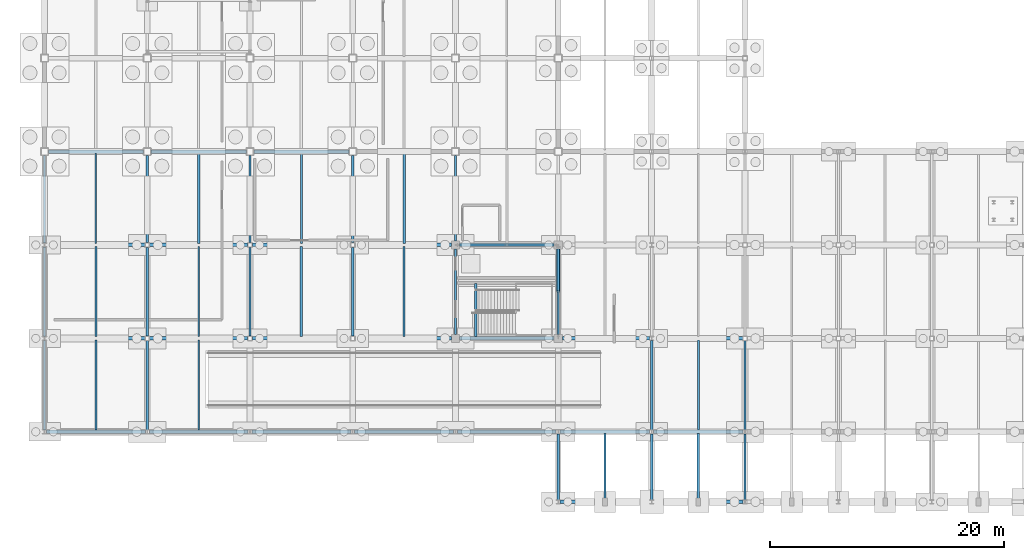
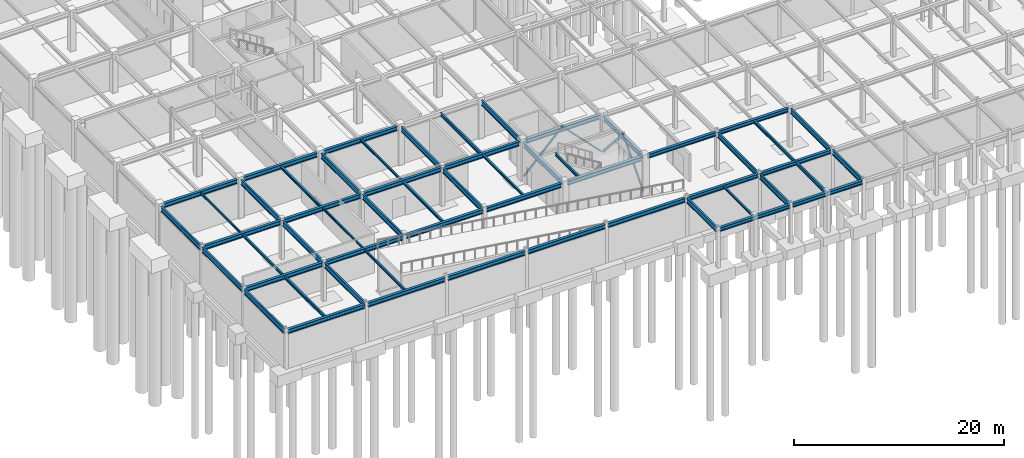
# One storey, part 32 of 72: 56 beams, 4 members.
"""IFC4 building model written with IfcOpenShell, lengths in metres."""

from ifc_helpers import new_model, si_unit, direction, frame, origin, origin_2d, place, context, subcontext, project, spatial, hollow_rectangle, hollow_circle, i_section, extrude, material, material_profile, profile_set, type_object, element, save


model = new_model("IFC4")

# Units and contexts
model_context = context("Model", 3, precision=1e-05, world=origin(), true_north=direction((0.0, 1.0)))
body_context = subcontext(model_context, "Body", "Model", "MODEL_VIEW")
ifc_project = project(units=[si_unit("LENGTHUNIT", "METRE"), si_unit("AREAUNIT", "SQUARE_METRE"), si_unit("VOLUMEUNIT", "CUBIC_METRE"), si_unit("PLANEANGLEUNIT", "RADIAN"), si_unit("MASSUNIT", "GRAM", prefix="KILO")], contexts=[model_context])

# Site, building, storey
site_placement = place(None, origin())
site = spatial("IfcSite", under=ifc_project, at=site_placement, CompositionType="ELEMENT")
building_placement = place(site_placement, origin())
building = spatial("IfcBuilding", under=site, at=building_placement, Name="Zhaolan Boulevard Law Courts", CompositionType="ELEMENT")
storey_placement = place(building_placement, frame((0.0, 0.0, -4.800048828125)))
storey = spatial("IfcBuildingStorey", under=building, at=storey_placement, Name="B1", CompositionType="ELEMENT", Elevation=-4.800048828125)

# Members
ifc_material_1 = material(Name="Structural steel Q355B", Category="steel")
ifc_material_profile_1 = material_profile(ifc_material_1, hollow_circle(Radius=0.136474609375, WallThickness=0.010009765625, at=origin_2d()), Name="CHS273x10")
ifc_profile_set_1 = profile_set([ifc_material_profile_1], Name="Structural steel Q355B")
member_type_1 = type_object("IfcMemberType", Name="BRACE CHS273", PredefinedType="BRACE", material=ifc_profile_set_1)
member_1_placement = place(storey_placement, frame((44.0, 21.820068359375, 0.199951171875), z_axis=(0.0, -0.662424974315, 0.749128262318), x_axis=(1.0, 0.0, 0.0)))
element("IfcMember", 1, at=member_1_placement, inside=storey, type_object=member_type_1, Name="Core Brace BR-P1-B1-E2", PredefinedType="BRACE", context=body_context, shape_type="SweptSolid", body=[
    extrude(hollow_circle(Radius=0.136474609375, WallThickness=0.010009765625, at=origin_2d()), origin(), (0.0, 0.0, 1.0), 5.766845703125),
])
ifc_material_2 = material(Name="Structural steel Q355B", Category="steel")
ifc_material_profile_2 = material_profile(ifc_material_2, hollow_rectangle(XDim=0.159912109375, YDim=0.159912109375, WallThickness=0.008056640625, InnerFilletRadius=0.008056640625, OuterFilletRadius=0.01611328125, at=origin_2d()), Name="HSS160x160x8")
ifc_profile_set_2 = profile_set([ifc_material_profile_2], Name="Structural steel Q355B")
member_type_2 = type_object("IfcMemberType", Name="BRACE HSS160", PredefinedType="BRACE", material=ifc_profile_set_2)
member_2_placement = place(storey_placement, frame((43.820068359375, 22.0, 0.199951171875), z_axis=(-0.698770796904, 0.0, 0.715345632121), x_axis=(0.0, -1.0, 0.0)))
element("IfcMember", 2, at=member_2_placement, inside=storey, type_object=member_type_2, Name="Core Brace BR-P1-B1-N2", PredefinedType="BRACE", context=body_context, shape_type="SweptSolid", body=[
    extrude(hollow_rectangle(XDim=0.159912109375, YDim=0.159912109375, WallThickness=0.008056640625, InnerFilletRadius=0.008056640625, OuterFilletRadius=0.01611328125, at=origin_2d()), origin(), (0.0, 0.0, 1.0), 6.0390625),
])
member_3_placement = place(storey_placement, frame((44.0, 14.179931640625, 0.199951171875), z_axis=(0.0, 0.662424974315, 0.749128262318), x_axis=(-1.0, 0.0, 0.0)))
element("IfcMember", 3, at=member_3_placement, inside=storey, type_object=member_type_2, Name="Core Brace BR-P1-B1-E1", PredefinedType="BRACE", context=body_context, shape_type="SweptSolid", body=[
    extrude(hollow_rectangle(XDim=0.159912109375, YDim=0.159912109375, WallThickness=0.008056640625, InnerFilletRadius=0.008056640625, OuterFilletRadius=0.01611328125, at=origin_2d()), origin(), (0.0, 0.0, 1.0), 5.766845703125),
])
ifc_material_3 = material(Name="Structural steel Q355B", Category="steel")
ifc_material_profile_3 = material_profile(ifc_material_3, hollow_rectangle(XDim=0.179931640625, YDim=0.179931640625, WallThickness=0.008056640625, InnerFilletRadius=0.008056640625, OuterFilletRadius=0.01611328125, at=origin_2d()), Name="HSS180x180x8")
ifc_profile_set_3 = profile_set([ifc_material_profile_3], Name="Structural steel Q355B")
member_type_3 = type_object("IfcMemberType", Name="BRACE HSS180", PredefinedType="BRACE", material=ifc_profile_set_3)
member_4_placement = place(storey_placement, frame((35.3798828125, 22.0, 0.199951171875), z_axis=(0.698791483013, 0.0, 0.715325424732), x_axis=(0.0, 1.0, 0.0)))
element("IfcMember", 4, at=member_4_placement, inside=storey, type_object=member_type_3, Name="Core Brace BR-P1-B1-N1", PredefinedType="BRACE", context=body_context, shape_type="SweptSolid", body=[
    extrude(hollow_rectangle(XDim=0.179931640625, YDim=0.179931640625, WallThickness=0.008056640625, InnerFilletRadius=0.008056640625, OuterFilletRadius=0.01611328125, at=origin_2d()), origin(), (0.0, 0.0, 1.0), 6.039306640625),
])

# Beams
ifc_material_4 = material(Name="Structural steel Q355B", Category="steel")
ifc_material_profile_4 = material_profile(ifc_material_4, i_section(OverallWidth=0.300048828125, OverallDepth=0.43994140625, WebThickness=0.010986328125, FlangeThickness=0.01806640625, FilletRadius=0.02001953125, at=origin_2d()), Name="HM440x300")
ifc_profile_set_4 = profile_set([ifc_material_profile_4], Name="Structural steel Q355B")
beam_type_1 = type_object("IfcBeamType", Name="GIRDER HM440", PredefinedType="BEAM", material=ifc_profile_set_4)
for number, where, z_axis, x_axis, name in (
    (5, (44.1708984375, 0.0, 4.328125), (1.0, 0.0, 0.0), (0.0, 1.0, 0.0), "Beam BX-L00-6-7-A"),
    (6, (52.1708984375, 0.0, 4.328125), (1.0, 0.0, 0.0), (0.0, 1.0, 0.0), "Beam BX-L00-7-8-A"),
    (7, (44.1708984375, 6.0, 4.278076171875), (1.0, 0.0, 0.0), (0.0, 1.0, 0.0), "Beam BX-L00-6-7-B"),
    (8, (52.1708984375, 6.0, 4.278076171875), (1.0, 0.0, 0.0), (0.0, 1.0, 0.0), "Beam BX-L00-7-8-B"),
):
    element("IfcBeam", number, at=place(storey_placement, frame(where, z_axis=z_axis, x_axis=x_axis)), inside=storey, type_object=beam_type_1, Name=name, PredefinedType="BEAM", context=body_context, shape_type="SweptSolid", body=[
        extrude(i_section(OverallWidth=0.300048828125, OverallDepth=0.43994140625, WebThickness=0.010986328125, FlangeThickness=0.01806640625, FilletRadius=0.02001953125, at=origin_2d()), origin(), (0.0, 0.0, 1.0), 7.658203125),
    ])
beam_1_placement = place(storey_placement, frame((44.345947265625, 14.0, 4.278076171875), z_axis=(1.0, 0.0, 0.0), x_axis=(0.0, 1.0, 0.0)))
element("IfcBeam", 9, at=beam_1_placement, inside=storey, type_object=beam_type_1, Name="Beam BX-L00-6-7-C", PredefinedType="BEAM", context=body_context, shape_type="SweptSolid", body=[
    extrude(i_section(OverallWidth=0.300048828125, OverallDepth=0.43994140625, WebThickness=0.010986328125, FlangeThickness=0.01806640625, FilletRadius=0.02001953125, at=origin_2d()), origin(), (0.0, 0.0, 1.0), 7.483154296875),
])
beam_2_placement = place(storey_placement, frame((52.1708984375, 14.0, 4.278076171875), z_axis=(1.0, 0.0, 0.0), x_axis=(0.0, 1.0, 0.0)))
element("IfcBeam", 10, at=beam_2_placement, inside=storey, type_object=beam_type_1, Name="Beam BX-L00-7-8-C", PredefinedType="BEAM", context=body_context, shape_type="SweptSolid", body=[
    extrude(i_section(OverallWidth=0.300048828125, OverallDepth=0.43994140625, WebThickness=0.010986328125, FlangeThickness=0.01806640625, FilletRadius=0.02001953125, at=origin_2d()), origin(), (0.0, 0.0, 1.0), 7.633056640625),
])
ifc_material_5 = material(Name="Structural steel Q355B", Category="steel")
ifc_material_profile_5 = material_profile(ifc_material_5, i_section(OverallWidth=0.300048828125, OverallDepth=0.488037109375, WebThickness=0.010986328125, FlangeThickness=0.01806640625, FilletRadius=0.02197265625, at=origin_2d()), Name="HM488x300")
ifc_profile_set_5 = profile_set([ifc_material_profile_5], Name="Structural steel Q355B")
beam_type_2 = type_object("IfcBeamType", Name="GIRDER HM500", PredefinedType="BEAM", material=ifc_profile_set_5)
for number, where, z_axis, x_axis, name in (
    (11, (0.1708984375, 6.0, 4.254150390625), (1.0, 0.0, 0.0), (0.0, 1.0, 0.0), "Beam BX-L00-1-2-B"),
    (12, (8.970947265625, 6.0, 4.254150390625), (1.0, 0.0, 0.0), (0.0, 1.0, 0.0), "Beam BX-L00-2-3-B"),
    (13, (17.77099609375, 6.0, 4.254150390625), (1.0, 0.0, 0.0), (0.0, 1.0, 0.0), "Beam BX-L00-3-4-B"),
    (14, (26.571044921875, 6.0, 4.254150390625), (1.0, 0.0, 0.0), (0.0, 1.0, 0.0), "Beam BX-L00-4-5-B"),
    (15, (35.37109375, 6.0, 4.254150390625), (1.0, 0.0, 0.0), (0.0, 1.0, 0.0), "Beam BX-L00-5-6-B"),
):
    element("IfcBeam", number, at=place(storey_placement, frame(where, z_axis=z_axis, x_axis=x_axis)), inside=storey, type_object=beam_type_2, Name=name, PredefinedType="BEAM", context=body_context, shape_type="SweptSolid", body=[
        extrude(i_section(OverallWidth=0.300048828125, OverallDepth=0.488037109375, WebThickness=0.010986328125, FlangeThickness=0.01806640625, FilletRadius=0.02197265625, at=origin_2d()), origin(), (0.0, 0.0, 1.0), 8.4580078125),
    ])
beam_3_placement = place(storey_placement, frame((0.1708984375, 14.0, 4.254150390625), z_axis=(1.0, 0.0, 0.0), x_axis=(0.0, 1.0, 0.0)))
element("IfcBeam", 16, at=beam_3_placement, inside=storey, type_object=beam_type_2, Name="Beam BX-L00-1-2-C", PredefinedType="BEAM", context=body_context, shape_type="SweptSolid", body=[
    extrude(i_section(OverallWidth=0.300048828125, OverallDepth=0.488037109375, WebThickness=0.010986328125, FlangeThickness=0.01806640625, FilletRadius=0.02197265625, at=origin_2d()), origin(), (0.0, 0.0, 1.0), 8.43310546875),
])
beam_4_placement = place(storey_placement, frame((8.99609375, 14.0, 4.254150390625), z_axis=(1.0, 0.0, 0.0), x_axis=(0.0, 1.0, 0.0)))
element("IfcBeam", 17, at=beam_4_placement, inside=storey, type_object=beam_type_2, Name="Beam BX-L00-2-3-C", PredefinedType="BEAM", context=body_context, shape_type="SweptSolid", body=[
    extrude(i_section(OverallWidth=0.300048828125, OverallDepth=0.488037109375, WebThickness=0.010986328125, FlangeThickness=0.01806640625, FilletRadius=0.02197265625, at=origin_2d()), origin(), (0.0, 0.0, 1.0), 8.407958984375),
])
beam_5_placement = place(storey_placement, frame((17.7958984375, 14.0, 4.254150390625), z_axis=(1.0, 0.0, 0.0), x_axis=(0.0, 1.0, 0.0)))
element("IfcBeam", 18, at=beam_5_placement, inside=storey, type_object=beam_type_2, Name="Beam BX-L00-3-4-C", PredefinedType="BEAM", context=body_context, shape_type="SweptSolid", body=[
    extrude(i_section(OverallWidth=0.300048828125, OverallDepth=0.488037109375, WebThickness=0.010986328125, FlangeThickness=0.01806640625, FilletRadius=0.02197265625, at=origin_2d()), origin(), (0.0, 0.0, 1.0), 8.408203125),
])
beam_6_placement = place(storey_placement, frame((26.595947265625, 14.0, 4.254150390625), z_axis=(1.0, 0.0, 0.0), x_axis=(0.0, 1.0, 0.0)))
element("IfcBeam", 19, at=beam_6_placement, inside=storey, type_object=beam_type_2, Name="Beam BX-L00-4-5-C", PredefinedType="BEAM", context=body_context, shape_type="SweptSolid", body=[
    extrude(i_section(OverallWidth=0.300048828125, OverallDepth=0.488037109375, WebThickness=0.010986328125, FlangeThickness=0.01806640625, FilletRadius=0.02197265625, at=origin_2d()), origin(), (0.0, 0.0, 1.0), 8.258056640625),
])
beam_7_placement = place(storey_placement, frame((35.5458984375, 14.0, 4.254150390625), z_axis=(1.0, 0.0, 0.0), x_axis=(0.0, 1.0, 0.0)))
element("IfcBeam", 20, at=beam_7_placement, inside=storey, type_object=beam_type_2, Name="Beam BX-L00-5-6-C", PredefinedType="BEAM", context=body_context, shape_type="SweptSolid", body=[
    extrude(i_section(OverallWidth=0.300048828125, OverallDepth=0.488037109375, WebThickness=0.010986328125, FlangeThickness=0.01806640625, FilletRadius=0.02197265625, at=origin_2d()), origin(), (0.0, 0.0, 1.0), 8.108154296875),
])
beam_8_placement = place(storey_placement, frame((0.1708984375, 22.0, 4.254150390625), z_axis=(1.0, 0.0, 0.0), x_axis=(0.0, 1.0, 0.0)))
element("IfcBeam", 21, at=beam_8_placement, inside=storey, type_object=beam_type_2, Name="Beam BX-L00-1-2-D", PredefinedType="BEAM", context=body_context, shape_type="SweptSolid", body=[
    extrude(i_section(OverallWidth=0.300048828125, OverallDepth=0.488037109375, WebThickness=0.010986328125, FlangeThickness=0.01806640625, FilletRadius=0.02197265625, at=origin_2d()), origin(), (0.0, 0.0, 1.0), 8.43310546875),
])
beam_9_placement = place(storey_placement, frame((8.99609375, 22.0, 4.254150390625), z_axis=(1.0, 0.0, 0.0), x_axis=(0.0, 1.0, 0.0)))
element("IfcBeam", 22, at=beam_9_placement, inside=storey, type_object=beam_type_2, Name="Beam BX-L00-2-3-D", PredefinedType="BEAM", context=body_context, shape_type="SweptSolid", body=[
    extrude(i_section(OverallWidth=0.300048828125, OverallDepth=0.488037109375, WebThickness=0.010986328125, FlangeThickness=0.01806640625, FilletRadius=0.02197265625, at=origin_2d()), origin(), (0.0, 0.0, 1.0), 8.407958984375),
])
beam_10_placement = place(storey_placement, frame((17.7958984375, 22.0, 4.254150390625), z_axis=(1.0, 0.0, 0.0), x_axis=(0.0, 1.0, 0.0)))
element("IfcBeam", 23, at=beam_10_placement, inside=storey, type_object=beam_type_2, Name="Beam BX-L00-3-4-D", PredefinedType="BEAM", context=body_context, shape_type="SweptSolid", body=[
    extrude(i_section(OverallWidth=0.300048828125, OverallDepth=0.488037109375, WebThickness=0.010986328125, FlangeThickness=0.01806640625, FilletRadius=0.02197265625, at=origin_2d()), origin(), (0.0, 0.0, 1.0), 8.408203125),
])
beam_11_placement = place(storey_placement, frame((26.595947265625, 22.0, 4.254150390625), z_axis=(1.0, 0.0, 0.0), x_axis=(0.0, 1.0, 0.0)))
element("IfcBeam", 24, at=beam_11_placement, inside=storey, type_object=beam_type_2, Name="Beam BX-L00-4-5-D", PredefinedType="BEAM", context=body_context, shape_type="SweptSolid", body=[
    extrude(i_section(OverallWidth=0.300048828125, OverallDepth=0.488037109375, WebThickness=0.010986328125, FlangeThickness=0.01806640625, FilletRadius=0.02197265625, at=origin_2d()), origin(), (0.0, 0.0, 1.0), 8.258056640625),
])
beam_12_placement = place(storey_placement, frame((35.5458984375, 22.0, 4.254150390625), z_axis=(1.0, 0.0, 0.0), x_axis=(0.0, 1.0, 0.0)))
element("IfcBeam", 25, at=beam_12_placement, inside=storey, type_object=beam_type_2, Name="Beam BX-L00-5-6-D", PredefinedType="BEAM", context=body_context, shape_type="SweptSolid", body=[
    extrude(i_section(OverallWidth=0.300048828125, OverallDepth=0.488037109375, WebThickness=0.010986328125, FlangeThickness=0.01806640625, FilletRadius=0.02197265625, at=origin_2d()), origin(), (0.0, 0.0, 1.0), 8.108154296875),
])
for number, where, z_axis, x_axis, name in (
    (26, (0.321044921875, 30.0, 4.254150390625), (1.0, 0.0, 0.0), (0.0, 1.0, 0.0), "Beam BX-L00-1-2-E"),
    (27, (9.12109375, 30.0, 4.254150390625), (1.0, 0.0, 0.0), (0.0, 1.0, 0.0), "Beam BX-L00-2-3-E"),
):
    element("IfcBeam", number, at=place(storey_placement, frame(where, z_axis=z_axis, x_axis=x_axis)), inside=storey, type_object=beam_type_2, Name=name, PredefinedType="BEAM", context=body_context, shape_type="SweptSolid", body=[
        extrude(i_section(OverallWidth=0.300048828125, OverallDepth=0.488037109375, WebThickness=0.010986328125, FlangeThickness=0.01806640625, FilletRadius=0.02197265625, at=origin_2d()), origin(), (0.0, 0.0, 1.0), 8.157958984375),
    ])
beam_13_placement = place(storey_placement, frame((17.9208984375, 30.0, 4.254150390625), z_axis=(1.0, 0.0, 0.0), x_axis=(0.0, 1.0, 0.0)))
element("IfcBeam", 28, at=beam_13_placement, inside=storey, type_object=beam_type_2, Name="Beam BX-L00-3-4-E", PredefinedType="BEAM", context=body_context, shape_type="SweptSolid", body=[
    extrude(i_section(OverallWidth=0.300048828125, OverallDepth=0.488037109375, WebThickness=0.010986328125, FlangeThickness=0.01806640625, FilletRadius=0.02197265625, at=origin_2d()), origin(), (0.0, 0.0, 1.0), 8.158203125),
])
ifc_material_6 = material(Name="Structural steel Q355B", Category="steel")
ifc_material_profile_6 = material_profile(ifc_material_6, i_section(OverallWidth=0.199951171875, OverallDepth=0.60009765625, WebThickness=0.010986328125, FlangeThickness=0.01708984375, FilletRadius=0.02001953125, at=origin_2d()), Name="HN600x200")
ifc_profile_set_6 = profile_set([ifc_material_profile_6], Name="Structural steel Q355B")
beam_type_3 = type_object("IfcBeamType", Name="GIRDER HN600", PredefinedType="BEAM", material=ifc_profile_set_6)
for number, where, z_axis, x_axis, name in (
    (29, (0.0, 6.1708984375, 4.197998046875), (0.0, 1.0, 0.0), (-1.0, 0.0, 0.0), "Beam BY-L00-1-B-C"),
    (30, (0.0, 14.1708984375, 4.197998046875), (0.0, 1.0, 0.0), (-1.0, 0.0, 0.0), "Beam BY-L00-1-C-D"),
):
    element("IfcBeam", number, at=place(storey_placement, frame(where, z_axis=z_axis, x_axis=x_axis)), inside=storey, type_object=beam_type_3, Name=name, PredefinedType="BEAM", context=body_context, shape_type="SweptSolid", body=[
        extrude(i_section(OverallWidth=0.199951171875, OverallDepth=0.60009765625, WebThickness=0.010986328125, FlangeThickness=0.01708984375, FilletRadius=0.02001953125, at=origin_2d()), origin(), (0.0, 0.0, 1.0), 7.658203125),
    ])
beam_14_placement = place(storey_placement, frame((0.0, 22.1708984375, 4.197998046875), z_axis=(0.0, 1.0, 0.0), x_axis=(-1.0, 0.0, 0.0)))
element("IfcBeam", 31, at=beam_14_placement, inside=storey, type_object=beam_type_3, Name="Beam BY-L00-1-D-E", PredefinedType="BEAM", context=body_context, shape_type="SweptSolid", body=[
    extrude(i_section(OverallWidth=0.199951171875, OverallDepth=0.60009765625, WebThickness=0.010986328125, FlangeThickness=0.01708984375, FilletRadius=0.02001953125, at=origin_2d()), origin(), (0.0, 0.0, 1.0), 7.508056640625),
])
beam_15_placement = place(storey_placement, frame((8.800048828125, 6.1708984375, 4.197998046875), z_axis=(0.0, 1.0, 0.0), x_axis=(-1.0, 0.0, 0.0)))
element("IfcBeam", 32, at=beam_15_placement, inside=storey, type_object=beam_type_3, Name="Beam BY-L00-2-B-C", PredefinedType="BEAM", context=body_context, shape_type="SweptSolid", body=[
    extrude(i_section(OverallWidth=0.199951171875, OverallDepth=0.60009765625, WebThickness=0.010986328125, FlangeThickness=0.01708984375, FilletRadius=0.02001953125, at=origin_2d()), origin(), (0.0, 0.0, 1.0), 7.633056640625),
])
beam_16_placement = place(storey_placement, frame((8.800048828125, 14.196044921875, 4.197998046875), z_axis=(0.0, 1.0, 0.0), x_axis=(-1.0, 0.0, 0.0)))
element("IfcBeam", 33, at=beam_16_placement, inside=storey, type_object=beam_type_3, Name="Beam BY-L00-2-C-D", PredefinedType="BEAM", context=body_context, shape_type="SweptSolid", body=[
    extrude(i_section(OverallWidth=0.199951171875, OverallDepth=0.60009765625, WebThickness=0.010986328125, FlangeThickness=0.01708984375, FilletRadius=0.02001953125, at=origin_2d()), origin(), (0.0, 0.0, 1.0), 7.60791015625),
])
beam_17_placement = place(storey_placement, frame((8.800048828125, 22.196044921875, 4.197998046875), z_axis=(0.0, 1.0, 0.0), x_axis=(-1.0, 0.0, 0.0)))
element("IfcBeam", 34, at=beam_17_placement, inside=storey, type_object=beam_type_3, Name="Beam BY-L00-2-D-E", PredefinedType="BEAM", context=body_context, shape_type="SweptSolid", body=[
    extrude(i_section(OverallWidth=0.199951171875, OverallDepth=0.60009765625, WebThickness=0.010986328125, FlangeThickness=0.01708984375, FilletRadius=0.02001953125, at=origin_2d()), origin(), (0.0, 0.0, 1.0), 7.48291015625),
])
beam_18_placement = place(storey_placement, frame((17.60009765625, 14.196044921875, 4.197998046875), z_axis=(0.0, 1.0, 0.0), x_axis=(-1.0, 0.0, 0.0)))
element("IfcBeam", 35, at=beam_18_placement, inside=storey, type_object=beam_type_3, Name="Beam BY-L00-3-C-D", PredefinedType="BEAM", context=body_context, shape_type="SweptSolid", body=[
    extrude(i_section(OverallWidth=0.199951171875, OverallDepth=0.60009765625, WebThickness=0.010986328125, FlangeThickness=0.01708984375, FilletRadius=0.02001953125, at=origin_2d()), origin(), (0.0, 0.0, 1.0), 7.60791015625),
])
beam_19_placement = place(storey_placement, frame((17.60009765625, 22.196044921875, 4.197998046875), z_axis=(0.0, 1.0, 0.0), x_axis=(-1.0, 0.0, 0.0)))
element("IfcBeam", 36, at=beam_19_placement, inside=storey, type_object=beam_type_3, Name="Beam BY-L00-3-D-E", PredefinedType="BEAM", context=body_context, shape_type="SweptSolid", body=[
    extrude(i_section(OverallWidth=0.199951171875, OverallDepth=0.60009765625, WebThickness=0.010986328125, FlangeThickness=0.01708984375, FilletRadius=0.02001953125, at=origin_2d()), origin(), (0.0, 0.0, 1.0), 7.48291015625),
])
beam_20_placement = place(storey_placement, frame((26.39990234375, 14.196044921875, 4.197998046875), z_axis=(0.0, 1.0, 0.0), x_axis=(-1.0, 0.0, 0.0)))
element("IfcBeam", 37, at=beam_20_placement, inside=storey, type_object=beam_type_3, Name="Beam BY-L00-4-C-D", PredefinedType="BEAM", context=body_context, shape_type="SweptSolid", body=[
    extrude(i_section(OverallWidth=0.199951171875, OverallDepth=0.60009765625, WebThickness=0.010986328125, FlangeThickness=0.01708984375, FilletRadius=0.02001953125, at=origin_2d()), origin(), (0.0, 0.0, 1.0), 7.60791015625),
])
beam_21_placement = place(storey_placement, frame((26.39990234375, 22.196044921875, 4.197998046875), z_axis=(0.0, 1.0, 0.0), x_axis=(-1.0, 0.0, 0.0)))
element("IfcBeam", 38, at=beam_21_placement, inside=storey, type_object=beam_type_3, Name="Beam BY-L00-4-D-E", PredefinedType="BEAM", context=body_context, shape_type="SweptSolid", body=[
    extrude(i_section(OverallWidth=0.199951171875, OverallDepth=0.60009765625, WebThickness=0.010986328125, FlangeThickness=0.01708984375, FilletRadius=0.02001953125, at=origin_2d()), origin(), (0.0, 0.0, 1.0), 7.48291015625),
])
beam_22_placement = place(storey_placement, frame((35.199951171875, 14.345947265625, 4.197998046875), z_axis=(0.0, 1.0, 0.0), x_axis=(-1.0, 0.0, 0.0)))
element("IfcBeam", 39, at=beam_22_placement, inside=storey, type_object=beam_type_3, Name="Beam BY-L00-5-C-D", PredefinedType="BEAM", context=body_context, shape_type="SweptSolid", body=[
    extrude(i_section(OverallWidth=0.199951171875, OverallDepth=0.60009765625, WebThickness=0.010986328125, FlangeThickness=0.01708984375, FilletRadius=0.02001953125, at=origin_2d()), origin(), (0.0, 0.0, 1.0), 7.30810546875),
])
beam_23_placement = place(storey_placement, frame((35.199951171875, 22.345947265625, 4.197998046875), z_axis=(0.0, 1.0, 0.0), x_axis=(-1.0, 0.0, 0.0)))
element("IfcBeam", 40, at=beam_23_placement, inside=storey, type_object=beam_type_3, Name="Beam BY-L00-5-D-E", PredefinedType="BEAM", context=body_context, shape_type="SweptSolid", body=[
    extrude(i_section(OverallWidth=0.199951171875, OverallDepth=0.60009765625, WebThickness=0.010986328125, FlangeThickness=0.01708984375, FilletRadius=0.02001953125, at=origin_2d()), origin(), (0.0, 0.0, 1.0), 7.3330078125),
])
beam_24_placement = place(storey_placement, frame((44.0, 0.1708984375, 4.248046875), z_axis=(0.0, 1.0, 0.0), x_axis=(-1.0, 0.0, 0.0)))
element("IfcBeam", 41, at=beam_24_placement, inside=storey, type_object=beam_type_3, Name="Beam BY-L00-6-A-B", PredefinedType="BEAM", context=body_context, shape_type="SweptSolid", body=[
    extrude(i_section(OverallWidth=0.199951171875, OverallDepth=0.60009765625, WebThickness=0.010986328125, FlangeThickness=0.01708984375, FilletRadius=0.02001953125, at=origin_2d()), origin(), (0.0, 0.0, 1.0), 5.658203125),
])
beam_25_placement = place(storey_placement, frame((44.0, 14.345947265625, 4.197998046875), z_axis=(0.0, 1.0, 0.0), x_axis=(-1.0, 0.0, 0.0)))
element("IfcBeam", 42, at=beam_25_placement, inside=storey, type_object=beam_type_3, Name="Beam BY-L00-6-C-D", PredefinedType="BEAM", context=body_context, shape_type="SweptSolid", body=[
    extrude(i_section(OverallWidth=0.199951171875, OverallDepth=0.60009765625, WebThickness=0.010986328125, FlangeThickness=0.01708984375, FilletRadius=0.02001953125, at=origin_2d()), origin(), (0.0, 0.0, 1.0), 7.30810546875),
])
beam_26_placement = place(storey_placement, frame((52.0, 0.1708984375, 4.248046875), z_axis=(0.0, 1.0, 0.0), x_axis=(-1.0, 0.0, 0.0)))
element("IfcBeam", 43, at=beam_26_placement, inside=storey, type_object=beam_type_3, Name="Beam BY-L00-7-A-B", PredefinedType="BEAM", context=body_context, shape_type="SweptSolid", body=[
    extrude(i_section(OverallWidth=0.199951171875, OverallDepth=0.60009765625, WebThickness=0.010986328125, FlangeThickness=0.01708984375, FilletRadius=0.02001953125, at=origin_2d()), origin(), (0.0, 0.0, 1.0), 5.658203125),
])
beam_27_placement = place(storey_placement, frame((52.0, 6.1708984375, 4.197998046875), z_axis=(0.0, 1.0, 0.0), x_axis=(-1.0, 0.0, 0.0)))
element("IfcBeam", 44, at=beam_27_placement, inside=storey, type_object=beam_type_3, Name="Beam BY-L00-7-B-C", PredefinedType="BEAM", context=body_context, shape_type="SweptSolid", body=[
    extrude(i_section(OverallWidth=0.199951171875, OverallDepth=0.60009765625, WebThickness=0.010986328125, FlangeThickness=0.01708984375, FilletRadius=0.02001953125, at=origin_2d()), origin(), (0.0, 0.0, 1.0), 7.658203125),
])
beam_28_placement = place(storey_placement, frame((60.0, 0.1708984375, 4.248046875), z_axis=(0.0, 1.0, 0.0), x_axis=(-1.0, 0.0, 0.0)))
element("IfcBeam", 45, at=beam_28_placement, inside=storey, type_object=beam_type_3, Name="Beam BY-L00-8-A-B", PredefinedType="BEAM", context=body_context, shape_type="SweptSolid", body=[
    extrude(i_section(OverallWidth=0.199951171875, OverallDepth=0.60009765625, WebThickness=0.010986328125, FlangeThickness=0.01708984375, FilletRadius=0.02001953125, at=origin_2d()), origin(), (0.0, 0.0, 1.0), 5.658203125),
])
beam_29_placement = place(storey_placement, frame((60.0, 6.1708984375, 4.197998046875), z_axis=(0.0, 1.0, 0.0), x_axis=(-1.0, 0.0, 0.0)))
element("IfcBeam", 46, at=beam_29_placement, inside=storey, type_object=beam_type_3, Name="Beam BY-L00-8-B-C", PredefinedType="BEAM", context=body_context, shape_type="SweptSolid", body=[
    extrude(i_section(OverallWidth=0.199951171875, OverallDepth=0.60009765625, WebThickness=0.010986328125, FlangeThickness=0.01708984375, FilletRadius=0.02001953125, at=origin_2d()), origin(), (0.0, 0.0, 1.0), 7.633056640625),
])
ifc_material_7 = material(Name="Structural steel Q355B", Category="steel")
ifc_material_profile_7 = material_profile(ifc_material_7, i_section(OverallWidth=0.175048828125, OverallDepth=0.243896484375, WebThickness=0.007080078125, FlangeThickness=0.010986328125, FilletRadius=0.012939453125, at=origin_2d()), Name="HM244x175")
ifc_profile_set_7 = profile_set([ifc_material_profile_7], Name="Structural steel Q355B")
beam_type_4 = type_object("IfcBeamType", Name="JOIST HM244", PredefinedType="JOIST", material=ifc_profile_set_7)
for number, where, z_axis, x_axis, name in (
    (47, (22.0, 22.14599609375, 4.3759765625), (0.0, 1.0, 0.0), (-1.0, 0.0, 0.0), "Composite Joist J-L00-3D"),
    (48, (30.800048828125, 14.14599609375, 4.3759765625), (0.0, 1.0, 0.0), (-1.0, 0.0, 0.0), "Composite Joist J-L00-4C"),
):
    element("IfcBeam", number, at=place(storey_placement, frame(where, z_axis=z_axis, x_axis=x_axis)), inside=storey, type_object=beam_type_4, Name=name, PredefinedType="JOIST", context=body_context, shape_type="SweptSolid", body=[
        extrude(i_section(OverallWidth=0.175048828125, OverallDepth=0.243896484375, WebThickness=0.007080078125, FlangeThickness=0.010986328125, FilletRadius=0.012939453125, at=origin_2d()), origin(), (0.0, 0.0, 1.0), 7.7080078125),
    ])
beam_30_placement = place(storey_placement, frame((48.0, 0.14599609375, 4.426025390625), z_axis=(0.0, 1.0, 0.0), x_axis=(-1.0, 0.0, 0.0)))
element("IfcBeam", 49, at=beam_30_placement, inside=storey, type_object=beam_type_4, Name="Composite Joist J-L00-6A", PredefinedType="JOIST", context=body_context, shape_type="SweptSolid", body=[
    extrude(i_section(OverallWidth=0.175048828125, OverallDepth=0.243896484375, WebThickness=0.007080078125, FlangeThickness=0.010986328125, FilletRadius=0.012939453125, at=origin_2d()), origin(), (0.0, 0.0, 1.0), 5.7080078125),
])
ifc_material_8 = material(Name="Structural steel Q355B", Category="steel")
ifc_material_profile_8 = material_profile(ifc_material_8, i_section(OverallWidth=0.199951171875, OverallDepth=0.2939453125, WebThickness=0.008056640625, FlangeThickness=0.011962890625, FilletRadius=0.01611328125, at=origin_2d()), Name="HM294x200")
ifc_profile_set_8 = profile_set([ifc_material_profile_8], Name="Structural steel Q355B")
beam_type_5 = type_object("IfcBeamType", Name="JOIST HM294", PredefinedType="JOIST", material=ifc_profile_set_8)
for number, where, z_axis, x_axis, name in (
    (50, (13.199951171875, 22.14599609375, 4.35107421875), (0.0, 1.0, 0.0), (-1.0, 0.0, 0.0), "Composite Joist J-L00-2D"),
    (51, (22.0, 14.14599609375, 4.35107421875), (0.0, 1.0, 0.0), (-1.0, 0.0, 0.0), "Composite Joist J-L00-3C"),
):
    element("IfcBeam", number, at=place(storey_placement, frame(where, z_axis=z_axis, x_axis=x_axis)), inside=storey, type_object=beam_type_5, Name=name, PredefinedType="JOIST", context=body_context, shape_type="SweptSolid", body=[
        extrude(i_section(OverallWidth=0.199951171875, OverallDepth=0.2939453125, WebThickness=0.008056640625, FlangeThickness=0.011962890625, FilletRadius=0.01611328125, at=origin_2d()), origin(), (0.0, 0.0, 1.0), 7.7080078125),
    ])
ifc_material_9 = material(Name="Structural steel Q355B", Category="steel")
ifc_material_profile_9 = material_profile(ifc_material_9, i_section(OverallWidth=0.125, OverallDepth=0.25, WebThickness=0.006103515625, FlangeThickness=0.009033203125, FilletRadius=0.010009765625, at=origin_2d()), Name="HN250x125")
ifc_profile_set_9 = profile_set([ifc_material_profile_9], Name="Structural steel Q355B")
beam_type_6 = type_object("IfcBeamType", Name="JOIST HN250", PredefinedType="JOIST", material=ifc_profile_set_9)
for number, where, z_axis, x_axis, name in (
    (52, (4.39990234375, 22.14599609375, 4.373046875), (0.0, 1.0, 0.0), (-1.0, 0.0, 0.0), "Composite Joist J-L00-1D"),
    (53, (13.199951171875, 14.14599609375, 4.373046875), (0.0, 1.0, 0.0), (-1.0, 0.0, 0.0), "Composite Joist J-L00-2C"),
):
    element("IfcBeam", number, at=place(storey_placement, frame(where, z_axis=z_axis, x_axis=x_axis)), inside=storey, type_object=beam_type_6, Name=name, PredefinedType="JOIST", context=body_context, shape_type="SweptSolid", body=[
        extrude(i_section(OverallWidth=0.125, OverallDepth=0.25, WebThickness=0.006103515625, FlangeThickness=0.009033203125, FilletRadius=0.010009765625, at=origin_2d()), origin(), (0.0, 0.0, 1.0), 7.7080078125),
    ])
ifc_material_10 = material(Name="Structural steel Q355B", Category="steel")
ifc_material_profile_10 = material_profile(ifc_material_10, i_section(OverallWidth=0.14990234375, OverallDepth=0.300048828125, WebThickness=0.006591796875, FlangeThickness=0.009033203125, FilletRadius=0.010986328125, at=origin_2d()), Name="HN300x150")
ifc_profile_set_10 = profile_set([ifc_material_profile_10], Name="Structural steel Q355B")
beam_type_7 = type_object("IfcBeamType", Name="JOIST HN300", PredefinedType="JOIST", material=ifc_profile_set_10)
for number, where, z_axis, x_axis, name in (
    (54, (4.39990234375, 14.14599609375, 4.34814453125), (0.0, 1.0, 0.0), (-1.0, 0.0, 0.0), "Composite Joist J-L00-1C"),
    (55, (13.199951171875, 6.14599609375, 4.34814453125), (0.0, 1.0, 0.0), (-1.0, 0.0, 0.0), "Composite Joist J-L00-2B"),
):
    element("IfcBeam", number, at=place(storey_placement, frame(where, z_axis=z_axis, x_axis=x_axis)), inside=storey, type_object=beam_type_7, Name=name, PredefinedType="JOIST", context=body_context, shape_type="SweptSolid", body=[
        extrude(i_section(OverallWidth=0.14990234375, OverallDepth=0.300048828125, WebThickness=0.006591796875, FlangeThickness=0.009033203125, FilletRadius=0.010986328125, at=origin_2d()), origin(), (0.0, 0.0, 1.0), 7.7080078125),
    ])
ifc_material_11 = material(Name="Structural steel Q355B", Category="steel")
ifc_material_profile_11 = material_profile(ifc_material_11, i_section(OverallWidth=0.175048828125, OverallDepth=0.35009765625, WebThickness=0.007080078125, FlangeThickness=0.010986328125, FilletRadius=0.012939453125, at=origin_2d()), Name="HN350x175")
ifc_profile_set_11 = profile_set([ifc_material_profile_11], Name="Structural steel Q355B")
beam_type_8 = type_object("IfcBeamType", Name="JOIST HN350", PredefinedType="JOIST", material=ifc_profile_set_11)
for number, where, z_axis, x_axis, name in (
    (56, (4.39990234375, 6.14599609375, 4.322998046875), (0.0, 1.0, 0.0), (-1.0, 0.0, 0.0), "Composite Joist J-L00-1B"),
    (57, (56.0, 6.14599609375, 4.322998046875), (0.0, 1.0, 0.0), (-1.0, 0.0, 0.0), "Composite Joist J-L00-7B"),
):
    element("IfcBeam", number, at=place(storey_placement, frame(where, z_axis=z_axis, x_axis=x_axis)), inside=storey, type_object=beam_type_8, Name=name, PredefinedType="JOIST", context=body_context, shape_type="SweptSolid", body=[
        extrude(i_section(OverallWidth=0.175048828125, OverallDepth=0.35009765625, WebThickness=0.007080078125, FlangeThickness=0.010986328125, FilletRadius=0.012939453125, at=origin_2d()), origin(), (0.0, 0.0, 1.0), 7.7080078125),
    ])
ifc_material_12 = material(Name="Structural steel Q355B", Category="steel")
ifc_material_profile_12 = material_profile(ifc_material_12, i_section(OverallWidth=0.199951171875, OverallDepth=0.39990234375, WebThickness=0.008056640625, FlangeThickness=0.012939453125, FilletRadius=0.013916015625, at=origin_2d()), Name="HN400x200")
ifc_profile_set_12 = profile_set([ifc_material_profile_12], Name="Structural steel Q355B")
beam_type_9 = type_object("IfcBeamType", Name="JOIST HN400", PredefinedType="JOIST", material=ifc_profile_set_12)
beam_31_placement = place(storey_placement, frame((30.800048828125, 22.14599609375, 4.298095703125), z_axis=(0.0, 1.0, 0.0), x_axis=(-1.0, 0.0, 0.0)))
element("IfcBeam", 58, at=beam_31_placement, inside=storey, type_object=beam_type_9, Name="Composite Joist J-L00-4D", PredefinedType="JOIST", context=body_context, shape_type="SweptSolid", body=[
    extrude(i_section(OverallWidth=0.199951171875, OverallDepth=0.39990234375, WebThickness=0.008056640625, FlangeThickness=0.012939453125, FilletRadius=0.013916015625, at=origin_2d()), origin(), (0.0, 0.0, 1.0), 7.7080078125),
])
beam_32_placement = place(storey_placement, frame((56.0, 0.14599609375, 4.34814453125), z_axis=(0.0, 1.0, 0.0), x_axis=(-1.0, 0.0, 0.0)))
element("IfcBeam", 59, at=beam_32_placement, inside=storey, type_object=beam_type_9, Name="Composite Joist J-L00-7A", PredefinedType="JOIST", context=body_context, shape_type="SweptSolid", body=[
    extrude(i_section(OverallWidth=0.199951171875, OverallDepth=0.39990234375, WebThickness=0.008056640625, FlangeThickness=0.012939453125, FilletRadius=0.013916015625, at=origin_2d()), origin(), (0.0, 0.0, 1.0), 5.7080078125),
])
ifc_material_13 = material(Name="Structural steel Q355B", Category="steel")
ifc_material_profile_13 = material_profile(ifc_material_13, i_section(OverallWidth=0.175048828125, OverallDepth=0.35009765625, WebThickness=0.007080078125, FlangeThickness=0.010986328125, FilletRadius=0.012939453125, at=origin_2d()), Name="HN350x175")
ifc_profile_set_13 = profile_set([ifc_material_profile_13], Name="Structural steel Q355B")
beam_type_10 = type_object("IfcBeamType", Name="STAIR TRIMMER HN350", PredefinedType="BEAM", material=ifc_profile_set_13)
beam_33_placement = place(storey_placement, frame((36.93505859375, 14.1650390625, 4.31494140625), z_axis=(0.0, 1.0, 0.0), x_axis=(-1.0, 0.0, 0.0)))
element("IfcBeam", 60, at=beam_33_placement, inside=storey, type_object=beam_type_10, Name="Stair Landing Trimmer Beam STB-ST04-L00", PredefinedType="BEAM", context=body_context, shape_type="SweptSolid", body=[
    extrude(i_section(OverallWidth=0.175048828125, OverallDepth=0.35009765625, WebThickness=0.007080078125, FlangeThickness=0.010986328125, FilletRadius=0.012939453125, at=origin_2d()), origin(), (0.0, 0.0, 1.0), 4.544921875),
])

save(model, "model.ifc")
